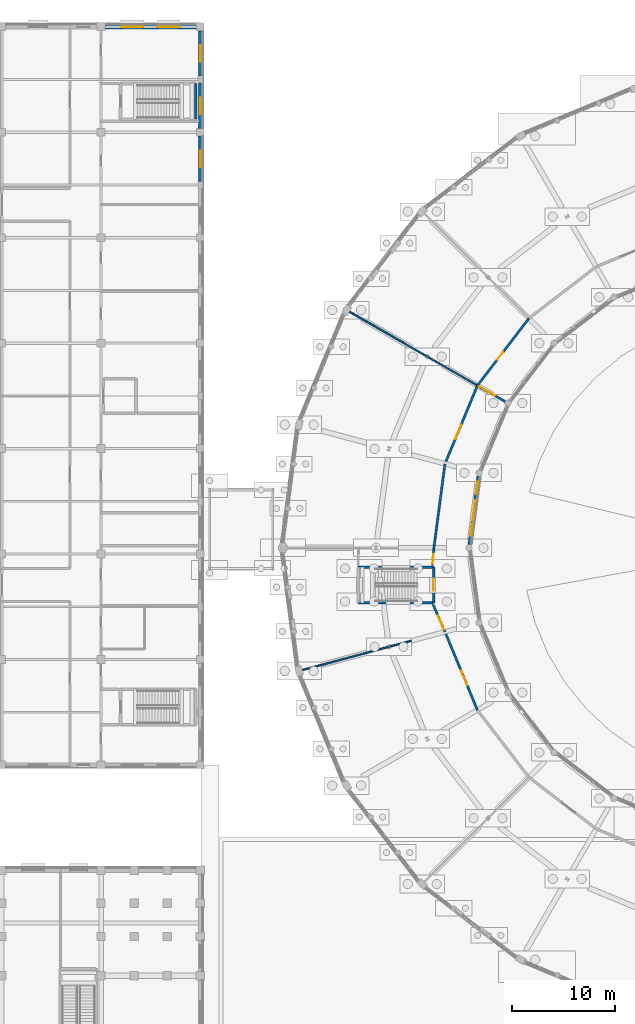
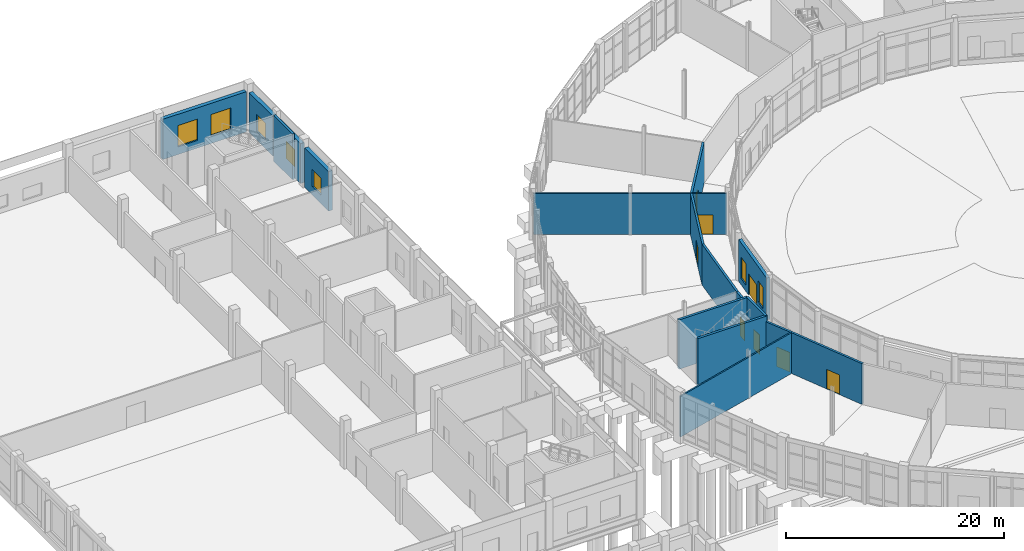
# One storey, part 108 of 137: 18 walls, 8 doors, 7 windows, 15 openings.
"""IFC4 building model written with IfcOpenShell, lengths in metres."""

from ifc_helpers import new_model, si_unit, direction, frame, frame_2d, origin, place, context, subcontext, project, spatial, rectangle, extrude, material, layer, layer_set, type_object, element, fill, save


model = new_model("IFC4")

# Units and contexts
model_context = context("Model", 3, precision=1e-05, world=origin(), true_north=direction((0.0, 1.0)))
body_context = subcontext(model_context, "Body", "Model", "MODEL_VIEW")
ifc_project = project(units=[si_unit("LENGTHUNIT", "METRE"), si_unit("AREAUNIT", "SQUARE_METRE"), si_unit("VOLUMEUNIT", "CUBIC_METRE"), si_unit("PLANEANGLEUNIT", "RADIAN"), si_unit("MASSUNIT", "GRAM", prefix="KILO")], contexts=[model_context])

# Site, building, storey
site_placement = place(None, origin())
site = spatial("IfcSite", under=ifc_project, at=site_placement, CompositionType="ELEMENT")
building_placement = place(site_placement, origin())
building = spatial("IfcBuilding", under=site, at=building_placement, Name="Vondelvale Polytechnic", CompositionType="ELEMENT")
storey_placement = place(building_placement, origin())
storey = spatial("IfcBuildingStorey", under=building, at=storey_placement, Name="L00", CompositionType="ELEMENT", Elevation=0.0)

# Wall, openings, door, windows
ifc_material_1 = material(Name="Amsterdam School iron-spot clinker clay brickwork", Category="masonry")
ifc_layer_1 = layer(ifc_material_1, 0.320068359375)
ifc_layer_set_1 = layer_set([ifc_layer_1], Name="WL-BRICK-320")
wall_type_1 = type_object("IfcWallType", Name="WL-BRICK-320", PredefinedType="SOLIDWALL", material=ifc_layer_set_1)
wall_1_placement = place(storey_placement, frame((74.9150390625, 78.94970703125, 0.0), z_axis=(0.0, 0.0, 1.0), x_axis=(-0.130547690074, -0.99144203089, 0.0)))
wall_1 = element("IfcWall", 1, at=wall_1_placement, inside=storey, type_object=wall_type_1, Name="L00 exterior masonry facade wall", PredefinedType="SOLIDWALL", context=body_context, shape_type="SweptSolid", body=[
    extrude(rectangle(XDim=6.7099609375, YDim=0.320068359375, at=frame_2d((3.35498046875, 0.0))), origin(), (0.0, 0.0, 1.0), 4.694091796875),
])
opening_1_placement = place(wall_1_placement, frame((2.35498046875, 0.0, 0.0)))
opening_1 = element("IfcOpeningElement", 2, at=opening_1_placement, cuts=wall_1, Name="Opening ED-030", PredefinedType="OPENING", context=body_context, shape_type="SweptSolid", body=[
    extrude(rectangle(XDim=2.0, YDim=2.39990234375, at=frame_2d((1.0, 1.199951171875))), frame((0.0, 0.169921875, 0.0), z_axis=(0.0, -1.0, 0.0), x_axis=(1.0, 0.0, 0.0)), (0.0, 0.0, 1.0), 0.340087890625),
])
opening_2_placement = place(wall_1_placement, frame((0.550048828125, 0.0, 0.699951171875)))
opening_2 = element("IfcOpeningElement", 3, at=opening_2_placement, cuts=wall_1, Name="Opening WN-0452", PredefinedType="OPENING", context=body_context, shape_type="SweptSolid", body=[
    extrude(rectangle(XDim=1.199951171875, YDim=2.39990234375, at=frame_2d((0.60009765625, 1.199951171875))), frame((0.0, 0.169921875, 0.0), z_axis=(0.0, -1.0, 0.0), x_axis=(1.0, 0.0, 0.0)), (0.0, 0.0, 1.0), 0.340087890625),
])
opening_3_placement = place(wall_1_placement, frame((4.64990234375, 0.0, 0.699951171875)))
opening_3 = element("IfcOpeningElement", 4, at=opening_3_placement, cuts=wall_1, Name="Opening WN-0453", PredefinedType="OPENING", context=body_context, shape_type="SweptSolid", body=[
    extrude(rectangle(XDim=1.199951171875, YDim=2.39990234375, at=frame_2d((0.60009765625, 1.199951171875))), frame((0.0, 0.169921875, 0.0), z_axis=(0.0, -1.0, 0.0), x_axis=(1.0, 0.0, 0.0)), (0.0, 0.0, 1.0), 0.340087890625),
])
ifc_material_2 = material(Name="Anodised extruded aluminium 6063-T6", Category="aluminium")
door_type_1 = type_object("IfcDoorType", Name="DR-EXT-2000x2400", OperationType="DOUBLE_DOOR_SINGLE_SWING", PredefinedType="DOOR", material=ifc_material_2)
door_1_placement = place(opening_1_placement, origin())
door_1 = element("IfcDoor", 5, at=door_1_placement, inside=storey, type_object=door_type_1, Name="L00 exterior entrance/exit door ED-030", OperationType="DOUBLE_DOOR_SINGLE_SWING", OverallHeight=2.39990234375, OverallWidth=2.0, PredefinedType="DOOR", context=body_context, shape_type="SweptSolid", body=[
    extrude(rectangle(XDim=2.0, YDim=2.39990234375, at=frame_2d((1.0, 1.199951171875))), frame((0.0, 0.02490234375, 0.0), z_axis=(0.0, -1.0, 0.0), x_axis=(1.0, 0.0, 0.0)), (0.0, 0.0, 1.0), 0.050048828125),
])
fill(opening_1, door_1)
ifc_material_3 = material(Name="Double-glazed low-E insulated architectural glass", Category="glass")
window_type_1 = type_object("IfcWindowType", Name="WN-ARCH-1200x2400", PartitioningType="SINGLE_PANEL", PredefinedType="WINDOW", material=ifc_material_3)
window_1_placement = place(opening_2_placement, origin())
window_1 = element("IfcWindow", 6, at=window_1_placement, inside=storey, type_object=window_type_1, Name="L00 double-glazed architectural window WN-0452", OverallHeight=2.39990234375, OverallWidth=1.199951171875, PartitioningType="SINGLE_PANEL", PredefinedType="WINDOW", context=body_context, shape_type="SweptSolid", body=[
    extrude(rectangle(XDim=1.199951171875, YDim=2.39990234375, at=frame_2d((0.60009765625, 1.199951171875))), frame((0.0, 0.030029296875, 0.0), z_axis=(0.0, -1.0, 0.0), x_axis=(1.0, 0.0, 0.0)), (0.0, 0.0, 1.0), 0.06005859375),
])
fill(opening_2, window_1)
window_2_placement = place(opening_3_placement, origin())
window_2 = element("IfcWindow", 7, at=window_2_placement, inside=storey, type_object=window_type_1, Name="L00 double-glazed architectural window WN-0453", OverallHeight=2.39990234375, OverallWidth=1.199951171875, PartitioningType="SINGLE_PANEL", PredefinedType="WINDOW", context=body_context, shape_type="SweptSolid", body=[
    extrude(rectangle(XDim=1.199951171875, YDim=2.39990234375, at=frame_2d((0.60009765625, 1.199951171875))), frame((0.0, 0.030029296875, 0.0), z_axis=(0.0, -1.0, 0.0), x_axis=(1.0, 0.0, 0.0)), (0.0, 0.0, 1.0), 0.06005859375),
])
fill(opening_3, window_2)

# Walls
ifc_material_4 = material(Name="Concrete N40 (f'c = 40 MPa)", Category="concrete")
ifc_layer_2 = layer(ifc_material_4, 0.25)
ifc_layer_set_2 = layer_set([ifc_layer_2], Name="WL-CORE-250")
wall_type_2 = type_object("IfcWallType", Name="WL-CORE-250", PredefinedType="SOLIDWALL", material=ifc_layer_set_2)
wall_2_placement = place(storey_placement, frame((47.574951171875, 113.47509765625, 0.0), z_axis=(0.0, 0.0, 1.0), x_axis=(0.0, 1.0, 0.0)))
element("IfcWall", 8, at=wall_2_placement, inside=storey, type_object=wall_type_2, Name="L00 ST-02 reinforced concrete stair core wall", PredefinedType="SOLIDWALL", context=body_context, shape_type="SweptSolid", body=[
    extrude(rectangle(XDim=3.449951171875, YDim=0.25, at=frame_2d((1.72509765625, 0.0))), origin(), (0.0, 0.0, 1.0), 5.1201171875),
])
for number, where, z_axis, x_axis, name in (
    (9, (70.574951171875, 70.125, -0.39990234375), (0.0, 0.0, 1.0), (-1.0, 0.0, 0.0), "L00 ST-10 reinforced concrete stair core wall"),
    (10, (63.27490234375, 66.675048828125, -0.39990234375), (0.0, 0.0, 1.0), (1.0, 0.0, 0.0), "L00 ST-10 reinforced concrete stair core wall"),
):
    element("IfcWall", number, at=place(storey_placement, frame(where, z_axis=z_axis, x_axis=x_axis)), inside=storey, type_object=wall_type_2, Name=name, PredefinedType="SOLIDWALL", context=body_context, shape_type="SweptSolid", body=[
        extrude(rectangle(XDim=7.300048828125, YDim=0.25, at=frame_2d((3.64990234375, 0.0))), origin(), (0.0, 0.0, 1.0), 5.52001953125),
    ])

# Wall, opening, door
wall_3_placement = place(storey_placement, frame((70.574951171875, 70.125, -0.39990234375), z_axis=(0.0, 0.0, 1.0), x_axis=(0.0, -1.0, 0.0)))
wall_3 = element("IfcWall", 11, at=wall_3_placement, inside=storey, type_object=wall_type_2, Name="L00 ST-10 reinforced concrete stair core wall", PredefinedType="SOLIDWALL", context=body_context, shape_type="SweptSolid", body=[
    extrude(rectangle(XDim=3.449951171875, YDim=0.25, at=frame_2d((1.72509765625, 0.0))), origin(), (0.0, 0.0, 1.0), 5.52001953125),
])
opening_4_placement = place(wall_3_placement, frame((1.175048828125, 0.0, 0.39990234375)))
opening_4 = element("IfcOpeningElement", 12, at=opening_4_placement, cuts=wall_3, Name="Opening SD-052", PredefinedType="OPENING", context=body_context, shape_type="SweptSolid", body=[
    extrude(rectangle(XDim=1.10009765625, YDim=2.199951171875, at=frame_2d((0.550048828125, 1.10009765625))), frame((0.0, 0.135009765625, 0.0), z_axis=(0.0, -1.0, 0.0), x_axis=(1.0, 0.0, 0.0)), (0.0, 0.0, 1.0), 0.27001953125),
])
ifc_material_5 = material(Name="Brushed architectural stainless and zinc-coated metal")
door_type_2 = type_object("IfcDoorType", Name="DR-STAIR-1100x2200", OperationType="SINGLE_SWING_LEFT", PredefinedType="DOOR", material=ifc_material_5)
door_2_placement = place(opening_4_placement, origin())
door_2 = element("IfcDoor", 13, at=door_2_placement, inside=storey, type_object=door_type_2, Name="L00 ST-10 fire-isolated stair door", OperationType="SINGLE_SWING_RIGHT", OverallHeight=2.199951171875, OverallWidth=1.10009765625, PredefinedType="DOOR", context=body_context, shape_type="SweptSolid", body=[
    extrude(rectangle(XDim=1.10009765625, YDim=2.199951171875, at=frame_2d((0.550048828125, 1.10009765625))), frame((0.0, 0.02490234375, 0.0), z_axis=(0.0, -1.0, 0.0), x_axis=(1.0, 0.0, 0.0)), (0.0, 0.0, 1.0), 0.050048828125),
])
fill(opening_4, door_2)

ifc_material_6 = material(Name="Fire-rated double-layer plasterboard stud partition")
ifc_layer_3 = layer(ifc_material_6, 0.219970703125)
ifc_layer_set_3 = layer_set([ifc_layer_3], Name="WL-CORR-220")
wall_type_3 = type_object("IfcWallType", Name="WL-CORR-220", PredefinedType="PARTITIONING", material=ifc_layer_set_3)
wall_4_placement = place(storey_placement, frame((77.6474609375, 86.06005859375, 0.0), z_axis=(0.0, 0.0, 1.0), x_axis=(-0.866040564224, 0.499973740429, 0.0)))
wall_4 = element("IfcWall", 14, at=wall_4_placement, inside=storey, type_object=wall_type_3, Name="L00 interior acoustic partition", PredefinedType="PARTITIONING", context=body_context, shape_type="SweptSolid", body=[
    extrude(rectangle(XDim=3.280029296875, YDim=0.219970703125, at=frame_2d((1.64013671875, 0.0))), origin(), (0.0, 0.0, 1.0), 4.56689453125),
])
opening_5_placement = place(wall_4_placement, frame((1.320068359375, 0.0, 0.0)))
opening_5 = element("IfcOpeningElement", 15, at=opening_5_placement, cuts=wall_4, Name="Opening ID-0273", PredefinedType="OPENING", context=body_context, shape_type="SweptSolid", body=[
    extrude(rectangle(XDim=1.800048828125, YDim=2.199951171875, at=frame_2d((0.89990234375, 1.10009765625))), frame((0.0, 0.119873046875, 0.0), z_axis=(0.0, -1.0, 0.0), x_axis=(1.0, 0.0, 0.0)), (0.0, 0.0, 1.0), 0.239990234375),
])
ifc_material_7 = material(Name="Engineered Tasmanian oak studio and bridge joinery")
door_type_3 = type_object("IfcDoorType", Name="DR-COR-1800x2200", OperationType="DOUBLE_DOOR_SINGLE_SWING", PredefinedType="DOOR", material=ifc_material_7)
door_3_placement = place(opening_5_placement, origin())
door_3 = element("IfcDoor", 16, at=door_3_placement, inside=storey, type_object=door_type_3, Name="L00 interior room door ID-0273", OperationType="DOUBLE_DOOR_SINGLE_SWING", OverallHeight=2.199951171875, OverallWidth=1.800048828125, PredefinedType="DOOR", context=body_context, shape_type="SweptSolid", body=[
    extrude(rectangle(XDim=1.800048828125, YDim=2.199951171875, at=frame_2d((0.89990234375, 1.10009765625))), frame((0.0, 0.02490234375, 0.0), z_axis=(0.0, -1.0, 0.0), x_axis=(1.0, 0.0, 0.0)), (0.0, 0.0, 1.0), 0.050048828125),
])
fill(opening_5, door_3)

wall_5_placement = place(storey_placement, frame((70.60009765625, 72.0, 0.0), z_axis=(0.0, 0.0, 1.0), x_axis=(-0.07984138391, -0.996807580938, 0.0)))
wall_5 = element("IfcWall", 17, at=wall_5_placement, inside=storey, type_object=wall_type_3, Name="L00 interior acoustic partition", PredefinedType="PARTITIONING", context=body_context, shape_type="SweptSolid", body=[
    extrude(rectangle(XDim=1.71533203125, YDim=0.219970703125, at=frame_2d((0.857666015625, 0.0))), origin(), (0.0, 0.0, 1.0), 4.56689453125),
])
opening_6_placement = place(wall_5_placement, frame((0.60546875, 0.0, 0.0)))
opening_6 = element("IfcOpeningElement", 18, at=opening_6_placement, cuts=wall_5, Name="Opening ID-0278", PredefinedType="OPENING", context=body_context, shape_type="SweptSolid", body=[
    extrude(rectangle(XDim=0.949951171875, YDim=2.10009765625, at=frame_2d((0.47509765625, 1.050048828125))), frame((0.0, 0.119873046875, 0.0), z_axis=(0.0, -1.0, 0.0), x_axis=(1.0, 0.0, 0.0)), (0.0, 0.0, 1.0), 0.239990234375),
])
ifc_material_8 = material(Name="Fire-rated solid Tasmanian oak joinery")
door_type_4 = type_object("IfcDoorType", Name="DR-INT-0950x2100", OperationType="SINGLE_SWING_LEFT", PredefinedType="DOOR", material=ifc_material_8)
door_4_placement = place(opening_6_placement, origin())
door_4 = element("IfcDoor", 19, at=door_4_placement, inside=storey, type_object=door_type_4, Name="L00 interior room door ID-0278", OperationType="SINGLE_SWING_RIGHT", OverallHeight=2.10009765625, OverallWidth=0.949951171875, PredefinedType="DOOR", context=body_context, shape_type="SweptSolid", body=[
    extrude(rectangle(XDim=0.949951171875, YDim=2.10009765625, at=frame_2d((0.47509765625, 1.050048828125))), frame((0.0, 0.02490234375, 0.0), z_axis=(0.0, -1.0, 0.0), x_axis=(1.0, 0.0, 0.0)), (0.0, 0.0, 1.0), 0.050048828125),
])
fill(opening_6, door_4)

wall_6_placement = place(storey_placement, frame((70.521728515625, 66.510009765625, 0.0), z_axis=(0.0, 0.0, 1.0), x_axis=(0.399219580964, -0.916855346374, 0.0)))
wall_6 = element("IfcWall", 20, at=wall_6_placement, inside=storey, type_object=wall_type_3, Name="L00 interior acoustic partition", PredefinedType="PARTITIONING", context=body_context, shape_type="SweptSolid", body=[
    extrude(rectangle(XDim=2.8759765625, YDim=0.219970703125, at=frame_2d((1.43798828125, 0.0))), origin(), (0.0, 0.0, 1.0), 4.56689453125),
])
opening_7_placement = place(wall_6_placement, frame((1.170166015625, 0.0, 0.0)))
opening_7 = element("IfcOpeningElement", 21, at=opening_7_placement, cuts=wall_6, Name="Opening ID-0279", PredefinedType="OPENING", context=body_context, shape_type="SweptSolid", body=[
    extrude(rectangle(XDim=1.5, YDim=2.199951171875, at=frame_2d((0.75, 1.10009765625))), frame((0.0, 0.119873046875, 0.0), z_axis=(0.0, -1.0, 0.0), x_axis=(1.0, 0.0, 0.0)), (0.0, 0.0, 1.0), 0.239990234375),
])
door_type_5 = type_object("IfcDoorType", Name="DR-LAB-1500x2200", OperationType="DOUBLE_DOOR_SINGLE_SWING", PredefinedType="DOOR", material=ifc_material_8)
door_5_placement = place(opening_7_placement, origin())
door_5 = element("IfcDoor", 22, at=door_5_placement, inside=storey, type_object=door_type_5, Name="L00 interior room door ID-0279", OperationType="DOUBLE_DOOR_SINGLE_SWING", OverallHeight=2.199951171875, OverallWidth=1.5, PredefinedType="DOOR", context=body_context, shape_type="SweptSolid", body=[
    extrude(rectangle(XDim=1.5, YDim=2.199951171875, at=frame_2d((0.75, 1.10009765625))), frame((0.0, 0.02490234375, 0.0), z_axis=(0.0, -1.0, 0.0), x_axis=(1.0, 0.0, 0.0)), (0.0, 0.0, 1.0), 0.050048828125),
])
fill(opening_7, door_5)

wall_7_placement = place(storey_placement, frame((79.796875, 94.203125, 0.0), z_axis=(0.0, 0.0, 1.0), x_axis=(-0.608756011694, -0.793357497113, 0.0)))
wall_7 = element("IfcWall", 23, at=wall_7_placement, inside=storey, type_object=wall_type_3, Name="L00 interior acoustic partition", PredefinedType="PARTITIONING", context=body_context, shape_type="SweptSolid", body=[
    extrude(rectangle(XDim=8.197021484375, YDim=0.219970703125, at=frame_2d((4.0986328125, 0.0))), origin(), (0.0, 0.0, 1.0), 4.56689453125),
])
opening_8_placement = place(wall_7_placement, frame((4.10009765625, 0.0, 0.0)))
opening_8 = element("IfcOpeningElement", 24, at=opening_8_placement, cuts=wall_7, Name="Opening ID-0292", PredefinedType="OPENING", context=body_context, shape_type="SweptSolid", body=[
    extrude(rectangle(XDim=0.949951171875, YDim=2.10009765625, at=frame_2d((0.47509765625, 1.050048828125))), frame((0.0, 0.119873046875, 0.0), z_axis=(0.0, -1.0, 0.0), x_axis=(1.0, 0.0, 0.0)), (0.0, 0.0, 1.0), 0.239990234375),
])
door_6_placement = place(opening_8_placement, origin())
door_6 = element("IfcDoor", 25, at=door_6_placement, inside=storey, type_object=door_type_4, Name="L00 interior room door ID-0292", OperationType="SINGLE_SWING_RIGHT", OverallHeight=2.10009765625, OverallWidth=0.949951171875, PredefinedType="DOOR", context=body_context, shape_type="SweptSolid", body=[
    extrude(rectangle(XDim=0.949951171875, YDim=2.10009765625, at=frame_2d((0.47509765625, 1.050048828125))), frame((0.0, 0.02490234375, 0.0), z_axis=(0.0, -1.0, 0.0), x_axis=(1.0, 0.0, 0.0)), (0.0, 0.0, 1.0), 0.050048828125),
])
fill(opening_8, door_6)

wall_8_placement = place(storey_placement, frame((74.806884765625, 87.699951171875, 0.0), z_axis=(0.0, 0.0, 1.0), x_axis=(-0.382696385238, -0.923874167149, 0.0)))
wall_8 = element("IfcWall", 26, at=wall_8_placement, inside=storey, type_object=wall_type_3, Name="L00 interior acoustic partition", PredefinedType="PARTITIONING", context=body_context, shape_type="SweptSolid", body=[
    extrude(rectangle(XDim=8.197021484375, YDim=0.219970703125, at=frame_2d((4.0986328125, 0.0))), origin(), (0.0, 0.0, 1.0), 4.56689453125),
])
opening_9_placement = place(wall_8_placement, frame((4.10009765625, 0.0, 0.0)))
opening_9 = element("IfcOpeningElement", 27, at=opening_9_placement, cuts=wall_8, Name="Opening ID-0293", PredefinedType="OPENING", context=body_context, shape_type="SweptSolid", body=[
    extrude(rectangle(XDim=1.5, YDim=2.199951171875, at=frame_2d((0.75, 1.10009765625))), frame((0.0, 0.119873046875, 0.0), z_axis=(0.0, -1.0, 0.0), x_axis=(1.0, 0.0, 0.0)), (0.0, 0.0, 1.0), 0.239990234375),
])
door_7_placement = place(opening_9_placement, origin())
door_7 = element("IfcDoor", 28, at=door_7_placement, inside=storey, type_object=door_type_5, Name="L00 interior room door ID-0293", OperationType="DOUBLE_DOOR_SINGLE_SWING", OverallHeight=2.199951171875, OverallWidth=1.5, PredefinedType="DOOR", context=body_context, shape_type="SweptSolid", body=[
    extrude(rectangle(XDim=1.5, YDim=2.199951171875, at=frame_2d((0.75, 1.10009765625))), frame((0.0, 0.02490234375, 0.0), z_axis=(0.0, -1.0, 0.0), x_axis=(1.0, 0.0, 0.0)), (0.0, 0.0, 1.0), 0.050048828125),
])
fill(opening_9, door_7)

# Wall
wall_9_placement = place(storey_placement, frame((71.669921875, 80.126953125, 0.0), z_axis=(0.0, 0.0, 1.0), x_axis=(-0.130513066404, -0.991446589332, 0.0)))
element("IfcWall", 29, at=wall_9_placement, inside=storey, type_object=wall_type_3, Name="L00 interior acoustic partition", PredefinedType="PARTITIONING", context=body_context, shape_type="SweptSolid", body=[
    extrude(rectangle(XDim=8.197021484375, YDim=0.219970703125, at=frame_2d((4.0986328125, 0.0))), origin(), (0.0, 0.0, 1.0), 4.56689453125),
])

# Wall, opening, door
wall_10_placement = place(storey_placement, frame((71.669921875, 63.873046875, 0.0), z_axis=(0.0, 0.0, 1.0), x_axis=(0.382696385238, -0.923874167149, 0.0)))
wall_10 = element("IfcWall", 30, at=wall_10_placement, inside=storey, type_object=wall_type_3, Name="L00 interior acoustic partition", PredefinedType="PARTITIONING", context=body_context, shape_type="SweptSolid", body=[
    extrude(rectangle(XDim=8.197021484375, YDim=0.219970703125, at=frame_2d((4.0986328125, 0.0))), origin(), (0.0, 0.0, 1.0), 4.56689453125),
])
opening_10_placement = place(wall_10_placement, frame((4.10009765625, 0.0, 0.0)))
opening_10 = element("IfcOpeningElement", 31, at=opening_10_placement, cuts=wall_10, Name="Opening ID-0294", PredefinedType="OPENING", context=body_context, shape_type="SweptSolid", body=[
    extrude(rectangle(XDim=1.5, YDim=2.199951171875, at=frame_2d((0.75, 1.10009765625))), frame((0.0, 0.119873046875, 0.0), z_axis=(0.0, -1.0, 0.0), x_axis=(1.0, 0.0, 0.0)), (0.0, 0.0, 1.0), 0.239990234375),
])
door_8_placement = place(opening_10_placement, origin())
door_8 = element("IfcDoor", 32, at=door_8_placement, inside=storey, type_object=door_type_5, Name="L00 interior room door ID-0294", OperationType="DOUBLE_DOOR_SINGLE_SWING", OverallHeight=2.199951171875, OverallWidth=1.5, PredefinedType="DOOR", context=body_context, shape_type="SweptSolid", body=[
    extrude(rectangle(XDim=1.5, YDim=2.199951171875, at=frame_2d((0.75, 1.10009765625))), frame((0.0, 0.02490234375, 0.0), z_axis=(0.0, -1.0, 0.0), x_axis=(1.0, 0.0, 0.0)), (0.0, 0.0, 1.0), 0.050048828125),
])
fill(opening_10, door_8)

# Walls
ifc_layer_4 = layer(ifc_material_6, 0.14990234375)
ifc_layer_set_4 = layer_set([ifc_layer_4], Name="WL-INT-150")
wall_type_4 = type_object("IfcWallType", Name="WL-INT-150", PredefinedType="PARTITIONING", material=ifc_layer_set_4)
for number, where, z_axis, x_axis, name in (
    (33, (71.669921875, 63.873046875, 0.0), (0.0, 0.0, 1.0), (-0.965928107853, -0.258810530041, 0.0), "L00 interior acoustic partition"),
    (34, (74.806884765625, 87.699951171875, 0.0), (0.0, 0.0, 1.0), (-0.866025544155, 0.499999756871, 0.0), "L00 interior acoustic partition"),
):
    element("IfcWall", number, at=place(storey_placement, frame(where, z_axis=z_axis, x_axis=x_axis)), inside=storey, type_object=wall_type_4, Name=name, PredefinedType="PARTITIONING", context=body_context, shape_type="SweptSolid", body=[
        extrude(rectangle(XDim=14.47998046875, YDim=0.14990234375, at=frame_2d((7.239990234375, 0.0))), origin(), (0.0, 0.0, 1.0), 4.56689453125),
    ])

# Wall, opening, window
ifc_material_9 = material(Name="Malmsbury bluestone ashlar stone masonry", Category="masonry")
ifc_layer_5 = layer(ifc_material_9, 0.39990234375)
ifc_layer_set_5 = layer_set([ifc_layer_5], Name="WL-PLINTH-400")
wall_type_5 = type_object("IfcWallType", Name="WL-PLINTH-400", PredefinedType="SOLIDWALL", material=ifc_layer_set_5)
wall_11_placement = place(storey_placement, frame((48.0, 111.823974609375, 0.0), z_axis=(0.0, 0.0, 1.0), x_axis=(0.0, -1.0, 0.0)))
wall_11 = element("IfcWall", 35, at=wall_11_placement, inside=storey, type_object=wall_type_5, Name="L00 exterior masonry facade wall", PredefinedType="SOLIDWALL", context=body_context, shape_type="SweptSolid", body=[
    extrude(rectangle(XDim=4.373046875, YDim=0.39990234375, at=frame_2d((2.1865234375, 0.0))), origin(), (0.0, 0.0, 1.0), 4.449951171875),
])
opening_11_placement = place(wall_11_placement, frame((1.386474609375, 0.0, 0.949951171875)))
opening_11 = element("IfcOpeningElement", 36, at=opening_11_placement, cuts=wall_11, Name="Opening WN-0022", PredefinedType="OPENING", context=body_context, shape_type="SweptSolid", body=[
    extrude(rectangle(XDim=1.60009765625, YDim=1.89990234375, at=frame_2d((0.800048828125, 0.949951171875))), frame((0.0, 0.2099609375, 0.0), z_axis=(0.0, -1.0, 0.0), x_axis=(1.0, 0.0, 0.0)), (0.0, 0.0, 1.0), 0.419921875),
])
window_type_2 = type_object("IfcWindowType", Name="WN-SEM-1600x1900", PartitioningType="SINGLE_PANEL", PredefinedType="WINDOW", material=ifc_material_3)
window_3_placement = place(opening_11_placement, origin())
window_3 = element("IfcWindow", 37, at=window_3_placement, inside=storey, type_object=window_type_2, Name="L00 double-glazed architectural window WN-0022", OverallHeight=1.89990234375, OverallWidth=1.60009765625, PartitioningType="SINGLE_PANEL", PredefinedType="WINDOW", context=body_context, shape_type="SweptSolid", body=[
    extrude(rectangle(XDim=1.60009765625, YDim=1.89990234375, at=frame_2d((0.800048828125, 0.949951171875))), frame((0.0, 0.030029296875, 0.0), z_axis=(0.0, -1.0, 0.0), x_axis=(1.0, 0.0, 0.0)), (0.0, 0.0, 1.0), 0.06005859375),
])
fill(opening_11, window_3)

wall_12_placement = place(storey_placement, frame((48.0, 116.948974609375, 0.0), z_axis=(0.0, 0.0, 1.0), x_axis=(0.0, -1.0, 0.0)))
wall_12 = element("IfcWall", 38, at=wall_12_placement, inside=storey, type_object=wall_type_5, Name="L00 exterior masonry facade wall", PredefinedType="SOLIDWALL", context=body_context, shape_type="SweptSolid", body=[
    extrude(rectangle(XDim=4.373046875, YDim=0.39990234375, at=frame_2d((2.1865234375, 0.0))), origin(), (0.0, 0.0, 1.0), 4.449951171875),
])
opening_12_placement = place(wall_12_placement, frame((1.386474609375, 0.0, 0.949951171875)))
opening_12 = element("IfcOpeningElement", 39, at=opening_12_placement, cuts=wall_12, Name="Opening WN-0023", PredefinedType="OPENING", context=body_context, shape_type="SweptSolid", body=[
    extrude(rectangle(XDim=1.60009765625, YDim=1.89990234375, at=frame_2d((0.800048828125, 0.949951171875))), frame((0.0, 0.2099609375, 0.0), z_axis=(0.0, -1.0, 0.0), x_axis=(1.0, 0.0, 0.0)), (0.0, 0.0, 1.0), 0.419921875),
])
window_4_placement = place(opening_12_placement, origin())
window_4 = element("IfcWindow", 40, at=window_4_placement, inside=storey, type_object=window_type_2, Name="L00 double-glazed architectural window WN-0023", OverallHeight=1.89990234375, OverallWidth=1.60009765625, PartitioningType="SINGLE_PANEL", PredefinedType="WINDOW", context=body_context, shape_type="SweptSolid", body=[
    extrude(rectangle(XDim=1.60009765625, YDim=1.89990234375, at=frame_2d((0.800048828125, 0.949951171875))), frame((0.0, 0.030029296875, 0.0), z_axis=(0.0, -1.0, 0.0), x_axis=(1.0, 0.0, 0.0)), (0.0, 0.0, 1.0), 0.06005859375),
])
fill(opening_12, window_4)

wall_13_placement = place(storey_placement, frame((48.0, 122.02392578125, 0.0), z_axis=(0.0, 0.0, 1.0), x_axis=(0.0, -1.0, 0.0)))
wall_13 = element("IfcWall", 41, at=wall_13_placement, inside=storey, type_object=wall_type_5, Name="L00 exterior masonry facade wall", PredefinedType="SOLIDWALL", context=body_context, shape_type="SweptSolid", body=[
    extrude(rectangle(XDim=4.373046875, YDim=0.39990234375, at=frame_2d((2.1865234375, 0.0))), origin(), (0.0, 0.0, 1.0), 4.449951171875),
])
opening_13_placement = place(wall_13_placement, frame((1.386474609375, 0.0, 0.949951171875)))
opening_13 = element("IfcOpeningElement", 42, at=opening_13_placement, cuts=wall_13, Name="Opening WN-0024", PredefinedType="OPENING", context=body_context, shape_type="SweptSolid", body=[
    extrude(rectangle(XDim=1.60009765625, YDim=1.89990234375, at=frame_2d((0.800048828125, 0.949951171875))), frame((0.0, 0.2099609375, 0.0), z_axis=(0.0, -1.0, 0.0), x_axis=(1.0, 0.0, 0.0)), (0.0, 0.0, 1.0), 0.419921875),
])
window_5_placement = place(opening_13_placement, origin())
window_5 = element("IfcWindow", 43, at=window_5_placement, inside=storey, type_object=window_type_2, Name="L00 double-glazed architectural window WN-0024", OverallHeight=1.89990234375, OverallWidth=1.60009765625, PartitioningType="SINGLE_PANEL", PredefinedType="WINDOW", context=body_context, shape_type="SweptSolid", body=[
    extrude(rectangle(XDim=1.60009765625, YDim=1.89990234375, at=frame_2d((0.800048828125, 0.949951171875))), frame((0.0, 0.030029296875, 0.0), z_axis=(0.0, -1.0, 0.0), x_axis=(1.0, 0.0, 0.0)), (0.0, 0.0, 1.0), 0.06005859375),
])
fill(opening_13, window_5)

# Wall, openings, windows
wall_14_placement = place(storey_placement, frame((38.77587890625, 122.39990234375, 0.0), z_axis=(0.0, 0.0, 1.0), x_axis=(1.0, 0.0, 0.0)))
wall_14 = element("IfcWall", 44, at=wall_14_placement, inside=storey, type_object=wall_type_5, Name="L00 exterior masonry facade wall", PredefinedType="SOLIDWALL", context=body_context, shape_type="SweptSolid", body=[
    extrude(rectangle(XDim=8.84814453125, YDim=0.39990234375, at=frame_2d((4.424072265625, 0.0))), origin(), (0.0, 0.0, 1.0), 4.5),
])
opening_14_placement = place(wall_14_placement, frame((1.60009765625, 0.0, 0.85009765625)))
opening_14 = element("IfcOpeningElement", 45, at=opening_14_placement, cuts=wall_14, Name="Opening WN-0037", PredefinedType="OPENING", context=body_context, shape_type="SweptSolid", body=[
    extrude(rectangle(XDim=2.10009765625, YDim=2.39990234375, at=frame_2d((1.050048828125, 1.199951171875))), frame((0.0, 0.2099609375, 0.0), z_axis=(0.0, -1.0, 0.0), x_axis=(1.0, 0.0, 0.0)), (0.0, 0.0, 1.0), 0.419921875),
])
opening_15_placement = place(wall_14_placement, frame((5.10009765625, 0.0, 0.85009765625)))
opening_15 = element("IfcOpeningElement", 46, at=opening_15_placement, cuts=wall_14, Name="Opening WN-0038", PredefinedType="OPENING", context=body_context, shape_type="SweptSolid", body=[
    extrude(rectangle(XDim=2.10009765625, YDim=2.39990234375, at=frame_2d((1.050048828125, 1.199951171875))), frame((0.0, 0.2099609375, 0.0), z_axis=(0.0, -1.0, 0.0), x_axis=(1.0, 0.0, 0.0)), (0.0, 0.0, 1.0), 0.419921875),
])
window_type_3 = type_object("IfcWindowType", Name="WN-STUDIO-2100x2400", PartitioningType="SINGLE_PANEL", PredefinedType="WINDOW", material=ifc_material_3)
window_6_placement = place(opening_14_placement, origin())
window_6 = element("IfcWindow", 47, at=window_6_placement, inside=storey, type_object=window_type_3, Name="L00 double-glazed architectural window WN-0037", OverallHeight=2.39990234375, OverallWidth=2.10009765625, PartitioningType="SINGLE_PANEL", PredefinedType="WINDOW", context=body_context, shape_type="SweptSolid", body=[
    extrude(rectangle(XDim=2.10009765625, YDim=2.39990234375, at=frame_2d((1.050048828125, 1.199951171875))), frame((0.0, 0.030029296875, 0.0), z_axis=(0.0, -1.0, 0.0), x_axis=(1.0, 0.0, 0.0)), (0.0, 0.0, 1.0), 0.06005859375),
])
fill(opening_14, window_6)
window_7_placement = place(opening_15_placement, origin())
window_7 = element("IfcWindow", 48, at=window_7_placement, inside=storey, type_object=window_type_3, Name="L00 double-glazed architectural window WN-0038", OverallHeight=2.39990234375, OverallWidth=2.10009765625, PartitioningType="SINGLE_PANEL", PredefinedType="WINDOW", context=body_context, shape_type="SweptSolid", body=[
    extrude(rectangle(XDim=2.10009765625, YDim=2.39990234375, at=frame_2d((1.050048828125, 1.199951171875))), frame((0.0, 0.030029296875, 0.0), z_axis=(0.0, -1.0, 0.0), x_axis=(1.0, 0.0, 0.0)), (0.0, 0.0, 1.0), 0.06005859375),
])
fill(opening_15, window_7)

save(model, "model.ifc")
